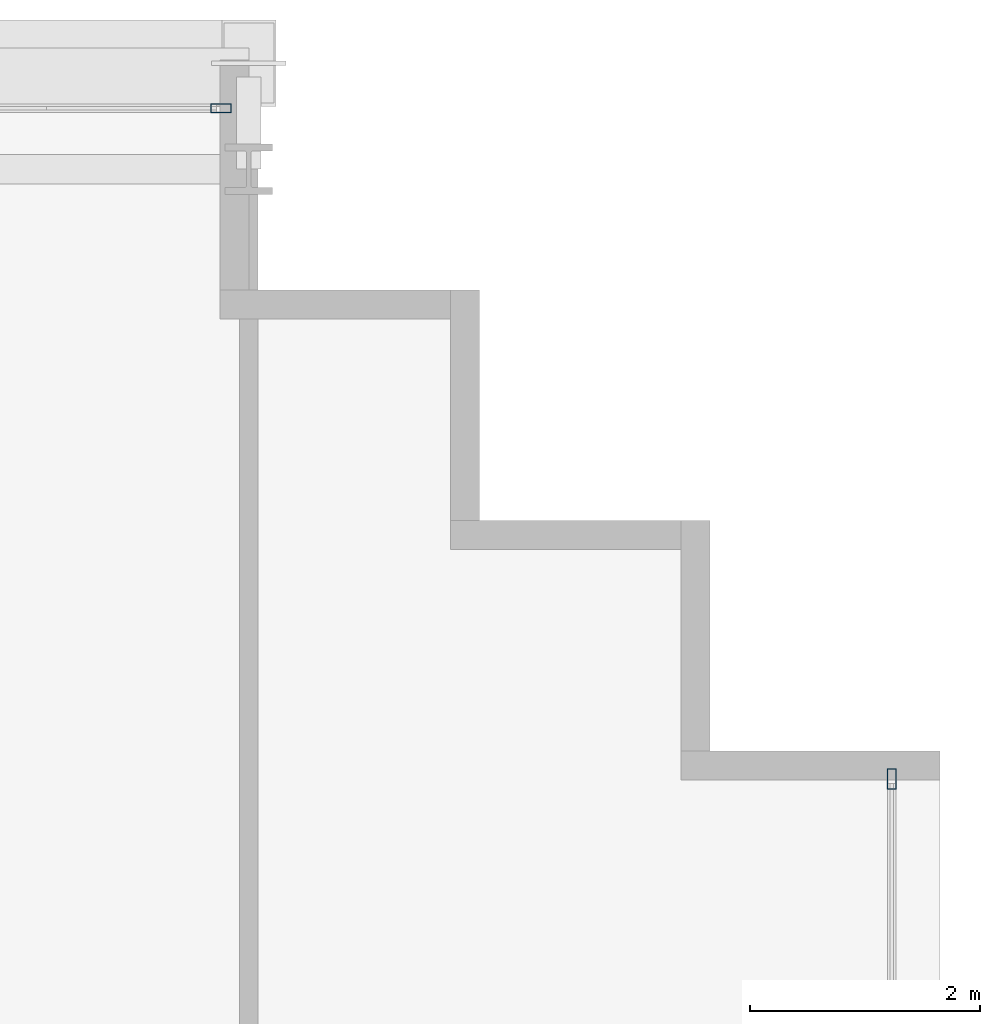
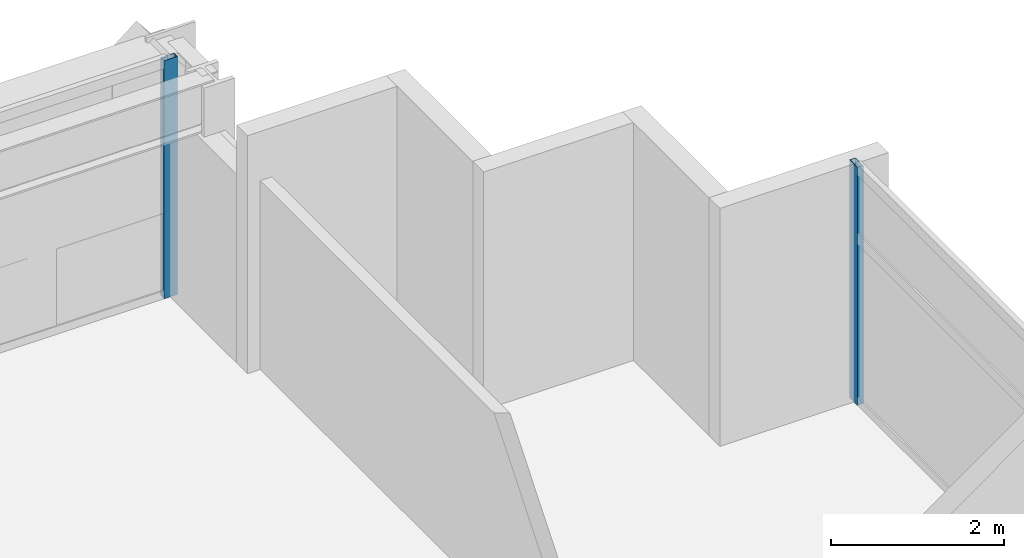
# One storey, part 22 of 35: 2 members, 2 elements without a shape of their own.
"""IFC4 building model written with IfcOpenShell, lengths in metres."""

from ifc_helpers import new_model, si_unit, direction, frame, origin, origin_2d, place, context, subcontext, project, spatial, hollow_rectangle, extrude, source, transform, mapped, material, layer, layer_set, material_profile, profile_set, type_object, element, aggregate, save


model = new_model("IFC4")

# Units and contexts
model_context = context("Model", 3, precision=1e-05, world=origin(), true_north=direction((0.0, 1.0)))
body_context = subcontext(model_context, "Body", "Model", "MODEL_VIEW")
ifc_project = project(units=[si_unit("LENGTHUNIT", "METRE"), si_unit("AREAUNIT", "SQUARE_METRE"), si_unit("VOLUMEUNIT", "CUBIC_METRE"), si_unit("PLANEANGLEUNIT", "RADIAN"), si_unit("MASSUNIT", "GRAM", prefix="KILO")], contexts=[model_context])

# Site, building, storey
site_placement = place(None, origin())
site = spatial("IfcSite", under=ifc_project, at=site_placement, CompositionType="ELEMENT")
building_placement = place(site_placement, origin())
building = spatial("IfcBuilding", under=site, at=building_placement, Name="Ocotamira Hotel", CompositionType="ELEMENT")
storey_placement = place(building_placement, frame((0.0, 0.0, 115.199951171875)))
storey = spatial("IfcBuildingStorey", under=building, at=storey_placement, Name="L28", CompositionType="ELEMENT", Elevation=115.199951171875)

# Curtain wall, member
ifc_material_1 = material(Name="Anodised pale-metal aluminium and solar glass", Category="aluminium")
ifc_layer = layer(ifc_material_1, 0.179931640625)
ifc_layer_set = layer_set([ifc_layer], Name="Anodised pale-metal aluminium and solar glass")
curtain_wall_type = type_object("IfcCurtainWallType", Name="CW-SYS3-Z2", PredefinedType="NOTDEFINED", material=ifc_layer_set)
curtain_wall_1_placement = place(storey_placement, origin())
curtain_wall_1 = element("IfcCurtainWall", 1, at=curtain_wall_1_placement, inside=storey, type_object=curtain_wall_type, Name="L28 Curtain Wall CW-3 CW-L28-N", PredefinedType="NOTDEFINED")
ifc_material_2 = material(Name="Anodised pale-metal aluminium 6063-T6", Category="aluminium")
ifc_material_profile = material_profile(ifc_material_2, hollow_rectangle(XDim=0.080078125, YDim=0.179931640625, WallThickness=0.006103515625, at=origin_2d()), Name="HSS180X80X6")
ifc_profile_set = profile_set([ifc_material_profile], Name="Anodised pale-metal aluminium 6063-T6")
member_type = type_object("IfcMemberType", Name="CWM-180X75", PredefinedType="MULLION", material=ifc_profile_set)
shared_shape = source(origin(), body_context, "Body", "SweptSolid", [
    extrude(hollow_rectangle(XDim=0.080078125, YDim=0.179931640625, WallThickness=0.006103515625, at=origin_2d()), origin(), (0.0, 0.0, 1.0), 3.360107421875),
])
member_1_placement = place(storey_placement, frame((49.760009765625, 49.580078125, 0.0), z_axis=(0.0, 0.0, 1.0), x_axis=(0.0, 1.0, 0.0)))
member_1 = element("IfcMember", 2, at=member_1_placement, type_object=member_type, Name="CW-3 mullion 10", PredefinedType="MULLION", context=body_context, shape_type="MappedRepresentation", body=[
    mapped(shared_shape, transform((0.0, 0.0, 0.0), scale=1.0)),
])
aggregate(curtain_wall_1, [member_1])

curtain_wall_2_placement = place(storey_placement, origin())
curtain_wall_2 = element("IfcCurtainWall", 3, at=curtain_wall_2_placement, inside=storey, type_object=curtain_wall_type, Name="L28 Curtain Wall CW-3 CW-L28-E", PredefinedType="NOTDEFINED")
member_2_placement = place(storey_placement, frame((55.580078125, 43.760009765625, 0.0), z_axis=(0.0, 0.0, 1.0), x_axis=(-1.0, 0.0, 0.0)))
member_2 = element("IfcMember", 4, at=member_2_placement, type_object=member_type, Name="CW-3 mullion 8", PredefinedType="MULLION", context=body_context, shape_type="MappedRepresentation", body=[
    mapped(shared_shape, transform((0.0, 0.0, 0.0), scale=1.0)),
])
aggregate(curtain_wall_2, [member_2])

save(model, "model.ifc")
